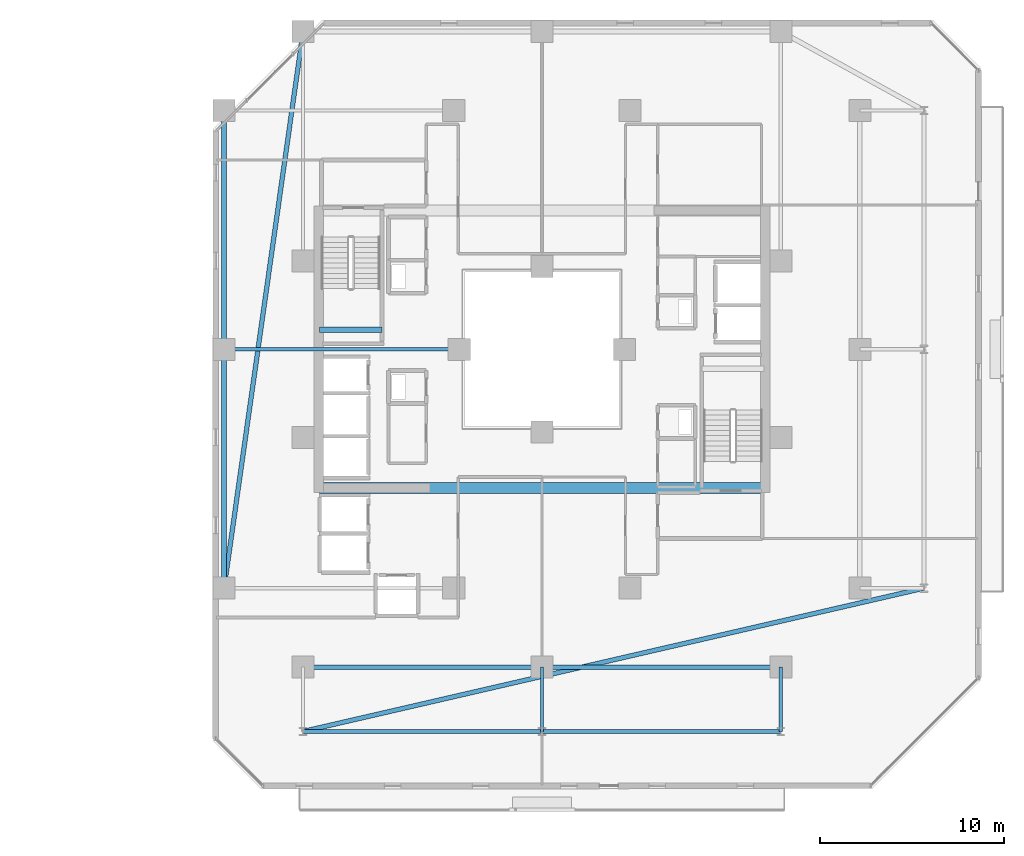
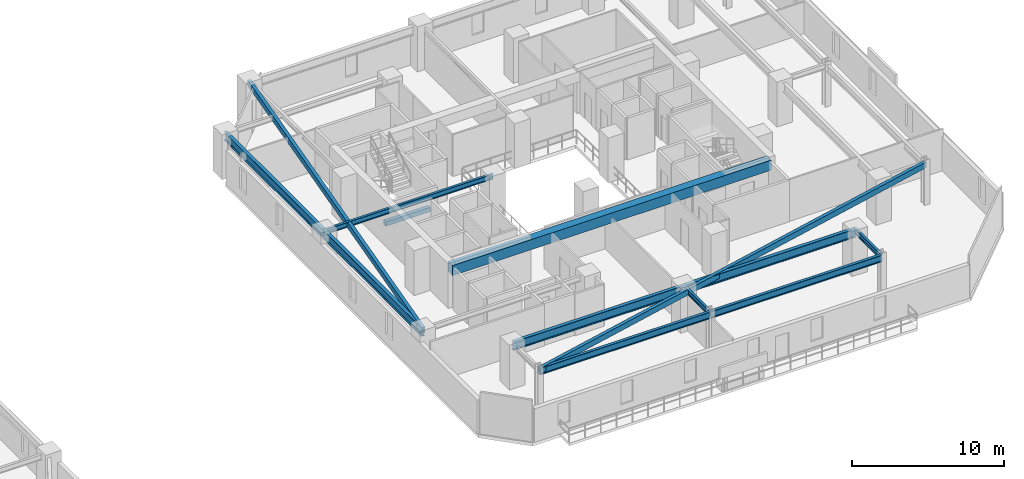
# One storey, part 11 of 32: 13 beams.
"""IFC4 building model written with IfcOpenShell, lengths in metres."""

from ifc_helpers import new_model, si_unit, direction, frame, origin, origin_2d, place, context, subcontext, project, spatial, rectangle, hollow_rectangle, i_section, extrude, material, material_profile, profile_set, type_object, element, save


model = new_model("IFC4")

# Units and contexts
model_context = context("Model", 3, precision=1e-05, world=origin(), true_north=direction((0.0, 1.0)))
body_context = subcontext(model_context, "Body", "Model", "MODEL_VIEW")
ifc_project = project(units=[si_unit("LENGTHUNIT", "METRE"), si_unit("AREAUNIT", "SQUARE_METRE"), si_unit("VOLUMEUNIT", "CUBIC_METRE"), si_unit("PLANEANGLEUNIT", "RADIAN"), si_unit("MASSUNIT", "GRAM", prefix="KILO")], contexts=[model_context])

# Site, building, storey
site_placement = place(None, origin())
site = spatial("IfcSite", under=ifc_project, at=site_placement, CompositionType="ELEMENT")
building_placement = place(site_placement, origin())
building = spatial("IfcBuilding", under=site, at=building_placement, Name="Thornwick Lancets Civic Towers", CompositionType="ELEMENT")
storey_placement = place(building_placement, frame((0.0, 0.0, 123.300048828125)))
storey = spatial("IfcBuildingStorey", under=building, at=storey_placement, Name="L32", CompositionType="ELEMENT", Elevation=123.300048828125)

# Beams
ifc_material_1 = material(Name="Concrete C60/75", Category="concrete")
ifc_material_profile_1 = material_profile(ifc_material_1, rectangle(XDim=0.60009765625, YDim=0.800048828125, at=origin_2d()), Name="RC 600x800")
ifc_profile_set_1 = profile_set([ifc_material_profile_1], Name="Concrete C60/75")
beam_type_1 = type_object("IfcBeamType", Name="BM_COUP_RC800", PredefinedType="BEAM", material=ifc_profile_set_1)
beam_1_placement = place(storey_placement, frame((76.39990234375, 19.449951171875, 2.9599609375), z_axis=(1.0, 0.0, 0.0), x_axis=(0.0, 1.0, 0.0)))
element("IfcBeam", 1, at=beam_1_placement, inside=storey, type_object=beam_type_1, Name="CB-L32-B2", PredefinedType="BEAM", context=body_context, shape_type="SweptSolid", body=[
    extrude(rectangle(XDim=0.60009765625, YDim=0.800048828125, at=origin_2d()), origin(), (0.0, 0.0, 1.0), 24.2001953125),
])
ifc_material_2 = material(Name="Steel S355JR", Category="steel")
ifc_material_profile_2 = material_profile(ifc_material_2, i_section(OverallWidth=0.2119140625, OverallDepth=0.54443359375, WebThickness=0.0126953125, FlangeThickness=0.021240234375, FilletRadius=0.0126953125, at=origin_2d()), Name="UKB 533x210x122")
ifc_profile_set_2 = profile_set([ifc_material_profile_2], Name="Steel S355JR")
beam_type_2 = type_object("IfcBeamType", Name="BM_EDGE_533_122", PredefinedType="SPANDREL", material=ifc_profile_set_2)
beam_2_placement = place(storey_placement, frame((101.5, 6.199951171875, 3.087646484375), z_axis=(-1.0, 0.0, 0.0), x_axis=(0.0, -1.0, 0.0)))
element("IfcBeam", 2, at=beam_2_placement, inside=storey, type_object=beam_type_2, Name="BM-EDGE-L32-B-S3-1", PredefinedType="SPANDREL", context=body_context, shape_type="SweptSolid", body=[
    extrude(i_section(OverallWidth=0.2119140625, OverallDepth=0.54443359375, WebThickness=0.0126953125, FlangeThickness=0.021240234375, FilletRadius=0.0126953125, at=origin_2d()), origin(), (0.0, 0.0, 1.0), 13.0),
])
beam_3_placement = place(storey_placement, frame((88.419921875, 6.199951171875, 3.087646484375), z_axis=(-1.0, 0.0, 0.0), x_axis=(0.0, -1.0, 0.0)))
element("IfcBeam", 3, at=beam_3_placement, inside=storey, type_object=beam_type_2, Name="BM-EDGE-L32-B-S3-2", PredefinedType="SPANDREL", context=body_context, shape_type="SweptSolid", body=[
    extrude(i_section(OverallWidth=0.2119140625, OverallDepth=0.54443359375, WebThickness=0.0126953125, FlangeThickness=0.021240234375, FilletRadius=0.0126953125, at=origin_2d()), origin(), (0.0, 0.0, 1.0), 12.919921875),
])
ifc_material_profile_3 = material_profile(ifc_material_2, i_section(OverallWidth=0.255859375, OverallDepth=0.69287109375, WebThickness=0.014404296875, FlangeThickness=0.023681640625, FilletRadius=0.01513671875, at=origin_2d()), Name="UKB 686x254x170")
ifc_profile_set_3 = profile_set([ifc_material_profile_3], Name="Steel S355JR")
beam_type_3 = type_object("IfcBeamType", Name="BM_GIRD_686_170", PredefinedType="BEAM", material=ifc_profile_set_3)
beam_4_placement = place(storey_placement, frame((71.199951171875, 14.0, 3.013427734375), z_axis=(0.0, 1.0, 0.0), x_axis=(-1.0, 0.0, 0.0)))
element("IfcBeam", 4, at=beam_4_placement, inside=storey, type_object=beam_type_3, Name="BM-SPINE-L32-B-6-7", PredefinedType="BEAM", context=body_context, shape_type="SweptSolid", body=[
    extrude(i_section(OverallWidth=0.255859375, OverallDepth=0.69287109375, WebThickness=0.014404296875, FlangeThickness=0.023681640625, FilletRadius=0.01513671875, at=origin_2d()), origin(), (0.0, 0.0, 1.0), 13.0),
])
beam_5_placement = place(storey_placement, frame((71.199951171875, 27.080078125, 3.013427734375), z_axis=(0.0, 1.0, 0.0), x_axis=(-1.0, 0.0, 0.0)))
element("IfcBeam", 5, at=beam_5_placement, inside=storey, type_object=beam_type_3, Name="BM-SPINE-L32-B-7-8", PredefinedType="BEAM", context=body_context, shape_type="SweptSolid", body=[
    extrude(i_section(OverallWidth=0.255859375, OverallDepth=0.69287109375, WebThickness=0.014404296875, FlangeThickness=0.023681640625, FilletRadius=0.01513671875, at=origin_2d()), origin(), (0.0, 0.0, 1.0), 12.919921875),
])
beam_6_placement = place(storey_placement, frame((101.5, 9.699951171875, 3.013427734375), z_axis=(-1.0, 0.0, 0.0), x_axis=(0.0, -1.0, 0.0)))
element("IfcBeam", 6, at=beam_6_placement, inside=storey, type_object=beam_type_3, Name="BM-SPINE-L32-B-9-10", PredefinedType="BEAM", context=body_context, shape_type="SweptSolid", body=[
    extrude(i_section(OverallWidth=0.255859375, OverallDepth=0.69287109375, WebThickness=0.014404296875, FlangeThickness=0.023681640625, FilletRadius=0.01513671875, at=origin_2d()), origin(), (0.0, 0.0, 1.0), 13.0),
])
beam_7_placement = place(storey_placement, frame((88.419921875, 9.699951171875, 3.013427734375), z_axis=(-1.0, 0.0, 0.0), x_axis=(0.0, -1.0, 0.0)))
element("IfcBeam", 7, at=beam_7_placement, inside=storey, type_object=beam_type_3, Name="BM-SPINE-L32-B-10-11", PredefinedType="BEAM", context=body_context, shape_type="SweptSolid", body=[
    extrude(i_section(OverallWidth=0.255859375, OverallDepth=0.69287109375, WebThickness=0.014404296875, FlangeThickness=0.023681640625, FilletRadius=0.01513671875, at=origin_2d()), origin(), (0.0, 0.0, 1.0), 12.919921875),
])
ifc_material_profile_4 = material_profile(ifc_material_2, i_section(OverallWidth=0.179443359375, OverallDepth=0.412841796875, WebThickness=0.009521484375, FlangeThickness=0.01611328125, FilletRadius=0.01025390625, at=origin_2d()), Name="UKB 406x178x74")
ifc_profile_set_4 = profile_set([ifc_material_profile_4], Name="Steel S355JR")
beam_type_4 = type_object("IfcBeamType", Name="BM_JOIST_406_74", PredefinedType="JOIST", material=ifc_profile_set_4)
beam_8_placement = place(storey_placement, frame((84.0, 27.0, 3.153564453125), z_axis=(-1.0, 0.0, 0.0), x_axis=(0.0, -1.0, 0.0)))
element("IfcBeam", 8, at=beam_8_placement, inside=storey, type_object=beam_type_4, Name="BM-RADIN-L32-B08", PredefinedType="JOIST", context=body_context, shape_type="SweptSolid", body=[
    extrude(i_section(OverallWidth=0.179443359375, OverallDepth=0.412841796875, WebThickness=0.009521484375, FlangeThickness=0.01611328125, FilletRadius=0.01025390625, at=origin_2d()), origin(), (0.0, 0.0, 1.0), 12.800048828125),
])
for number, where, z_axis, x_axis, name in (
    (9, (101.5, 9.699951171875, 3.153564453125), (0.0, -1.0, 0.0), (1.0, 0.0, 0.0), "BM-RAD-L32-B10"),
    (10, (88.5, 9.699951171875, 3.153564453125), (0.0, -1.0, 0.0), (1.0, 0.0, 0.0), "BM-RAD-L32-B11"),
):
    element("IfcBeam", number, at=place(storey_placement, frame(where, z_axis=z_axis, x_axis=x_axis)), inside=storey, type_object=beam_type_4, Name=name, PredefinedType="JOIST", context=body_context, shape_type="SweptSolid", body=[
        extrude(i_section(OverallWidth=0.179443359375, OverallDepth=0.412841796875, WebThickness=0.009521484375, FlangeThickness=0.01611328125, FilletRadius=0.01025390625, at=origin_2d()), origin(), (0.0, 0.0, 1.0), 3.5),
    ])
ifc_material_profile_5 = material_profile(ifc_material_2, hollow_rectangle(XDim=0.25, YDim=0.449951171875, WallThickness=0.01611328125, at=origin_2d()), Name="RHS 450x250x16")
ifc_profile_set_5 = profile_set([ifc_material_profile_5], Name="Steel S355JR")
beam_type_5 = type_object("IfcBeamType", Name="BM_RING_RHS450", PredefinedType="BEAM", material=ifc_profile_set_5)
beam_9_placement = place(storey_placement, frame((75.5, 44.300048828125, 3.135009765625), z_axis=(-0.140507712682, -0.990079584012, 0.0), x_axis=(0.990079584012, -0.140507712682, 0.0)))
element("IfcBeam", 11, at=beam_9_placement, inside=storey, type_object=beam_type_5, Name="BM-CHAMF-L32-B-C1", PredefinedType="BEAM", context=body_context, shape_type="SweptSolid", body=[
    extrude(hollow_rectangle(XDim=0.25, YDim=0.449951171875, WallThickness=0.01611328125, at=origin_2d()), origin(), (0.0, 0.0, 1.0), 30.603759765625),
])
beam_10_placement = place(storey_placement, frame((75.5, 6.199951171875, 3.135009765625), z_axis=(0.974390958454, 0.224860534737, 0.0), x_axis=(-0.224860534737, 0.974390958454, 0.0)))
element("IfcBeam", 12, at=beam_10_placement, inside=storey, type_object=beam_type_5, Name="BM-CHAMF-L32-B-C3", PredefinedType="BEAM", context=body_context, shape_type="SweptSolid", body=[
    extrude(hollow_rectangle(XDim=0.25, YDim=0.449951171875, WallThickness=0.01611328125, at=origin_2d()), origin(), (0.0, 0.0, 1.0), 34.6884765625),
])
ifc_material_3 = material(Name="Concrete C40/50", Category="concrete")
ifc_material_profile_6 = material_profile(ifc_material_3, rectangle(XDim=0.300048828125, YDim=0.35009765625, at=origin_2d()), Name="RC 300x350")
ifc_profile_set_6 = profile_set([ifc_material_profile_6], Name="Concrete C40/50")
beam_type_6 = type_object("IfcBeamType", Name="BM_STAIR_LDG", PredefinedType="BEAM", material=ifc_profile_set_6)
beam_11_placement = place(storey_placement, frame((76.39990234375, 28.06494140625, 1.3779296875), z_axis=(1.0, 0.0, 0.0), x_axis=(0.0, 1.0, 0.0)))
element("IfcBeam", 13, at=beam_11_placement, inside=storey, type_object=beam_type_6, Name="L32 ST-B2 Landing Support Beam 1", PredefinedType="BEAM", context=body_context, shape_type="SweptSolid", body=[
    extrude(rectangle(XDim=0.300048828125, YDim=0.35009765625, at=origin_2d()), origin(), (0.0, 0.0, 1.0), 3.400146484375),
])

save(model, "model.ifc")
